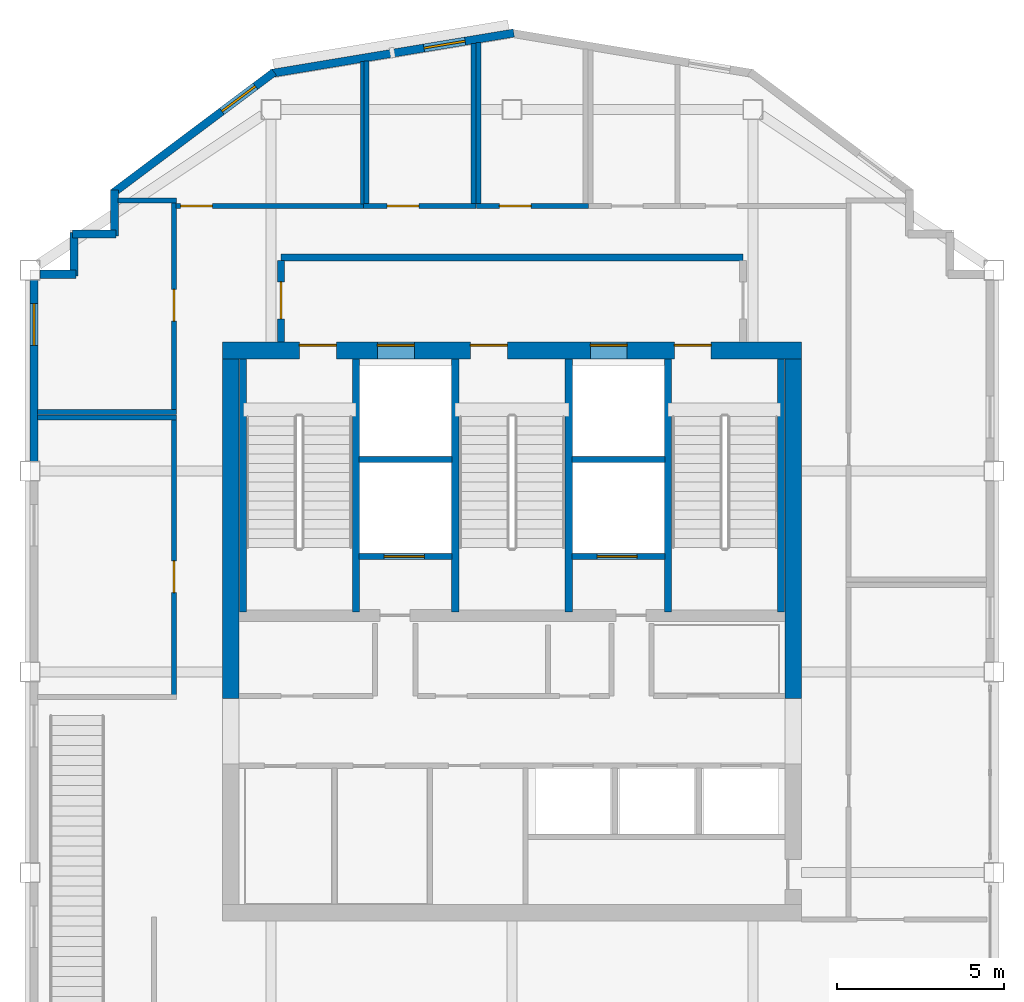
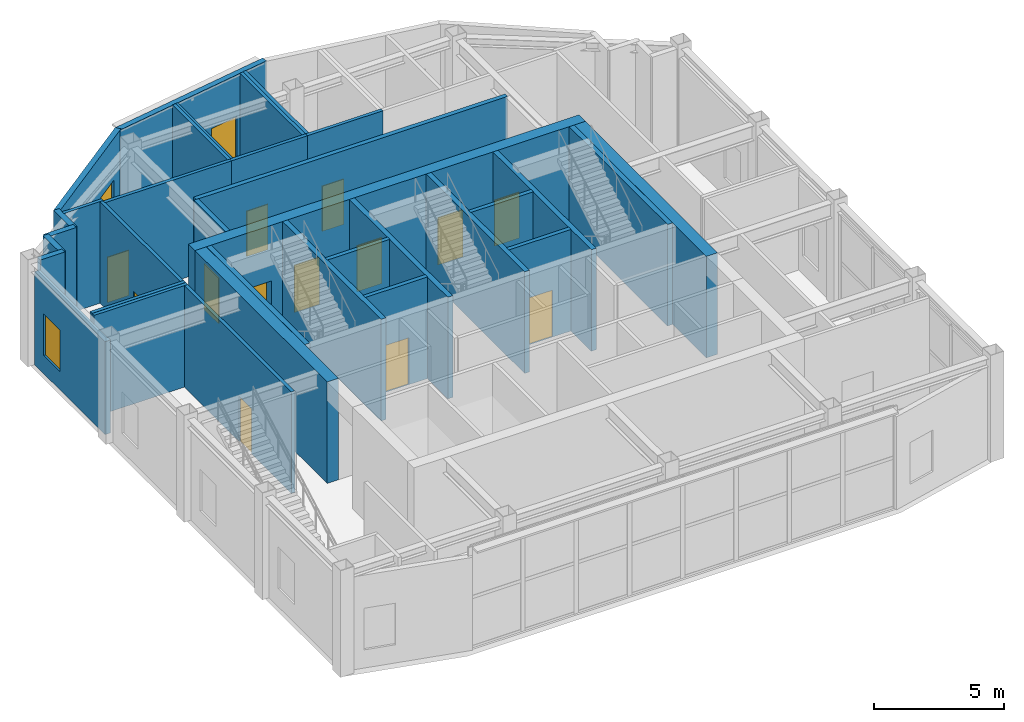
# One storey, part 8 of 11: 34 walls, 13 doors, 3 windows, 16 openings.
"""IFC4 building model written with IfcOpenShell, lengths in metres."""

from ifc_helpers import new_model, si_unit, direction, frame, frame_2d, origin, place, context, subcontext, project, spatial, rectangle, extrude, material, layer, layer_set, type_object, element, fill, save


model = new_model("IFC4")

# Units and contexts
model_context = context("Model", 3, precision=1e-05, world=origin(), true_north=direction((0.0, 1.0)))
body_context = subcontext(model_context, "Body", "Model", "MODEL_VIEW")
ifc_project = project(units=[si_unit("LENGTHUNIT", "METRE"), si_unit("AREAUNIT", "SQUARE_METRE"), si_unit("VOLUMEUNIT", "CUBIC_METRE"), si_unit("PLANEANGLEUNIT", "RADIAN"), si_unit("MASSUNIT", "GRAM", prefix="KILO")], contexts=[model_context])

# Site, building, storey
site_placement = place(None, origin())
site = spatial("IfcSite", under=ifc_project, at=site_placement, CompositionType="ELEMENT")
building_placement = place(site_placement, origin())
building = spatial("IfcBuilding", under=site, at=building_placement, Name="Haolan Belvedere Tower", CompositionType="ELEMENT")
storey_placement = place(building_placement, frame((0.0, 0.0, 318.199951171875)))
storey = spatial("IfcBuildingStorey", under=building, at=storey_placement, Name="L80", CompositionType="ELEMENT", Elevation=318.199951171875)

# Wall, openings, doors
ifc_material_1 = material(Name="Concrete C50/60", Category="concrete")
ifc_layer_1 = layer(ifc_material_1, 0.5, Name="Concrete C50/60")
ifc_layer_set_1 = layer_set([ifc_layer_1], Name="Concrete C50/60")
wall_type_1 = type_object("IfcWallType", Name="WL-CORE-500", PredefinedType="SHEAR", material=ifc_layer_set_1)
wall_1_placement = place(storey_placement, frame((29.75, 43.199951171875, 0.0), z_axis=(0.0, 0.0, 1.0), x_axis=(1.0, 0.0, 0.0)))
wall_1 = element("IfcWall", 1, at=wall_1_placement, inside=storey, type_object=wall_type_1, Name="L80 central core north shear wall", PredefinedType="SHEAR", context=body_context, shape_type="SweptSolid", body=[
    extrude(rectangle(XDim=17.300048828125, YDim=0.5, at=frame_2d((8.64990234375, 0.0))), origin(), (0.0, 0.0, 1.0), 4.760009765625),
])
opening_1_placement = place(wall_1_placement, frame((2.300048828125, 0.0, 0.0)))
opening_1 = element("IfcOpeningElement", 2, at=opening_1_placement, cuts=wall_1, Name="Opening FD-03", PredefinedType="OPENING", context=body_context, shape_type="SweptSolid", body=[
    extrude(rectangle(XDim=1.10009765625, YDim=2.14990234375, at=frame_2d((0.550048828125, 1.074951171875))), frame((0.0, 0.260009765625, 0.0), z_axis=(0.0, -1.0, 0.0), x_axis=(1.0, 0.0, 0.0)), (0.0, 0.0, 1.0), 0.52001953125),
])
opening_2_placement = place(wall_1_placement, frame((7.409912109375, 0.0, 0.0)))
opening_2 = element("IfcOpeningElement", 3, at=opening_2_placement, cuts=wall_1, Name="Opening FD-03", PredefinedType="OPENING", context=body_context, shape_type="SweptSolid", body=[
    extrude(rectangle(XDim=1.10009765625, YDim=2.14990234375, at=frame_2d((0.550048828125, 1.074951171875))), frame((0.0, 0.260009765625, 0.0), z_axis=(0.0, -1.0, 0.0), x_axis=(1.0, 0.0, 0.0)), (0.0, 0.0, 1.0), 0.52001953125),
])
opening_3_placement = place(wall_1_placement, frame((13.5, 0.0, 0.0)))
opening_3 = element("IfcOpeningElement", 4, at=opening_3_placement, cuts=wall_1, Name="Opening FD-03", PredefinedType="OPENING", context=body_context, shape_type="SweptSolid", body=[
    extrude(rectangle(XDim=1.10009765625, YDim=2.14990234375, at=frame_2d((0.550048828125, 1.074951171875))), frame((0.0, 0.260009765625, 0.0), z_axis=(0.0, -1.0, 0.0), x_axis=(1.0, 0.0, 0.0)), (0.0, 0.0, 1.0), 0.52001953125),
])
opening_4_placement = place(wall_1_placement, frame((4.6298828125, 0.0, 0.0)))
opening_4 = element("IfcOpeningElement", 5, at=opening_4_placement, cuts=wall_1, Name="Opening LD-01", PredefinedType="OPENING", context=body_context, shape_type="SweptSolid", body=[
    extrude(rectangle(XDim=1.10009765625, YDim=2.199951171875, at=frame_2d((0.550048828125, 1.10009765625))), frame((0.0, 0.260009765625, 0.0), z_axis=(0.0, -1.0, 0.0), x_axis=(1.0, 0.0, 0.0)), (0.0, 0.0, 1.0), 0.52001953125),
])
opening_5_placement = place(wall_1_placement, frame((10.989990234375, 0.0, 0.0)))
opening_5 = element("IfcOpeningElement", 6, at=opening_5_placement, cuts=wall_1, Name="Opening LD-01", PredefinedType="OPENING", context=body_context, shape_type="SweptSolid", body=[
    extrude(rectangle(XDim=1.10009765625, YDim=2.199951171875, at=frame_2d((0.550048828125, 1.10009765625))), frame((0.0, 0.260009765625, 0.0), z_axis=(0.0, -1.0, 0.0), x_axis=(1.0, 0.0, 0.0)), (0.0, 0.0, 1.0), 0.52001953125),
])
ifc_material_2 = material(Name="Galvanised fire-rated steel", Category="steel")
door_type_1 = type_object("IfcDoorType", Name="DR-FD90-1100", OperationType="NOTDEFINED", PredefinedType="DOOR", material=ifc_material_2)
door_1_placement = place(opening_1_placement, origin())
door_1 = element("IfcDoor", 7, at=door_1_placement, inside=storey, type_object=door_type_1, Name="L80 door CD-L80-ST1", OperationType="SINGLE_SWING_LEFT", OverallHeight=2.14990234375, OverallWidth=1.10009765625, PredefinedType="DOOR", context=body_context, shape_type="SweptSolid", body=[
    extrude(rectangle(XDim=1.10009765625, YDim=2.14990234375, at=frame_2d((0.550048828125, 1.074951171875))), frame((0.0, 0.18505859375, 0.0), z_axis=(0.0, -1.0, 0.0), x_axis=(1.0, 0.0, 0.0)), (0.0, 0.0, 1.0), 0.050048828125),
])
fill(opening_1, door_1)
door_2_placement = place(opening_2_placement, origin())
door_2 = element("IfcDoor", 8, at=door_2_placement, inside=storey, type_object=door_type_1, Name="L80 door CD-L80-ST3", OperationType="SINGLE_SWING_LEFT", OverallHeight=2.14990234375, OverallWidth=1.10009765625, PredefinedType="DOOR", context=body_context, shape_type="SweptSolid", body=[
    extrude(rectangle(XDim=1.10009765625, YDim=2.14990234375, at=frame_2d((0.550048828125, 1.074951171875))), frame((0.0, 0.18505859375, 0.0), z_axis=(0.0, -1.0, 0.0), x_axis=(1.0, 0.0, 0.0)), (0.0, 0.0, 1.0), 0.050048828125),
])
fill(opening_2, door_2)
door_3_placement = place(opening_3_placement, origin())
door_3 = element("IfcDoor", 9, at=door_3_placement, inside=storey, type_object=door_type_1, Name="L80 door CD-L80-ST2", OperationType="SINGLE_SWING_RIGHT", OverallHeight=2.14990234375, OverallWidth=1.10009765625, PredefinedType="DOOR", context=body_context, shape_type="SweptSolid", body=[
    extrude(rectangle(XDim=1.10009765625, YDim=2.14990234375, at=frame_2d((0.550048828125, 1.074951171875))), frame((0.0, 0.18505859375, 0.0), z_axis=(0.0, -1.0, 0.0), x_axis=(1.0, 0.0, 0.0)), (0.0, 0.0, 1.0), 0.050048828125),
])
fill(opening_3, door_3)
ifc_material_3 = material(Name="Brushed champagne stainless steel 316L", Category="steel")
door_type_2 = type_object("IfcDoorType", Name="DR-LIFT-1100", OperationType="SLIDING_TO_LEFT", PredefinedType="DOOR", material=ifc_material_3)
door_4_placement = place(opening_4_placement, origin())
door_4 = element("IfcDoor", 10, at=door_4_placement, inside=storey, type_object=door_type_2, Name="L80 door LD-L80-FF1", OperationType="SLIDING_TO_LEFT", OverallHeight=2.199951171875, OverallWidth=1.10009765625, PredefinedType="DOOR", context=body_context, shape_type="SweptSolid", body=[
    extrude(rectangle(XDim=1.10009765625, YDim=2.199951171875, at=frame_2d((0.550048828125, 1.10009765625))), frame((0.0, 0.18505859375, 0.0), z_axis=(0.0, -1.0, 0.0), x_axis=(1.0, 0.0, 0.0)), (0.0, 0.0, 1.0), 0.050048828125),
])
fill(opening_4, door_4)
door_5_placement = place(opening_5_placement, origin())
door_5 = element("IfcDoor", 11, at=door_5_placement, inside=storey, type_object=door_type_2, Name="L80 door LD-L80-FF2", OperationType="SLIDING_TO_LEFT", OverallHeight=2.199951171875, OverallWidth=1.10009765625, PredefinedType="DOOR", context=body_context, shape_type="SweptSolid", body=[
    extrude(rectangle(XDim=1.10009765625, YDim=2.199951171875, at=frame_2d((0.550048828125, 1.10009765625))), frame((0.0, 0.18505859375, 0.0), z_axis=(0.0, -1.0, 0.0), x_axis=(1.0, 0.0, 0.0)), (0.0, 0.0, 1.0), 0.050048828125),
])
fill(opening_5, door_5)

# Walls
for number, where, z_axis, x_axis, name in (
    (12, (30.0, 32.800048828125, 0.0), (0.0, 0.0, 1.0), (0.0, 1.0, 0.0), "L80 central core shear wall WN"),
    (13, (46.800048828125, 32.800048828125, 0.0), (0.0, 0.0, 1.0), (0.0, 1.0, 0.0), "L80 central core shear wall EN"),
):
    element("IfcWall", number, at=place(storey_placement, frame(where, z_axis=z_axis, x_axis=x_axis)), inside=storey, type_object=wall_type_1, Name=name, PredefinedType="SHEAR", context=body_context, shape_type="SweptSolid", body=[
        extrude(rectangle(XDim=10.14990234375, YDim=0.5, at=frame_2d((5.074951171875, 0.0))), origin(), (0.0, 0.0, 1.0), 4.760009765625),
    ])

# Wall, opening, window
ifc_material_4 = material(Name="Precast concrete C40/50", Category="concrete")
ifc_layer_2 = layer(ifc_material_4, 0.239990234375, Name="Precast concrete C40/50")
ifc_layer_set_2 = layer_set([ifc_layer_2], Name="Precast concrete C40/50")
wall_type_2 = type_object("IfcWallType", Name="WL-EXT-240", PredefinedType="SOLIDWALL", material=ifc_layer_set_2)
wall_2_placement = place(storey_placement, frame((38.454345703125, 52.687255859375, 0.0), z_axis=(0.0, 0.0, 1.0), x_axis=(-0.986394820321, -0.164393608283, 0.0)))
wall_2 = element("IfcWall", 14, at=wall_2_placement, inside=storey, type_object=wall_type_2, Name="L80 pale-metal exterior spandrel wall 10.1", PredefinedType="SOLIDWALL", context=body_context, shape_type="SweptSolid", body=[
    extrude(rectangle(XDim=7.360107421875, YDim=0.239990234375, at=frame_2d((3.68017578125, 0.0))), origin(), (0.0, 0.0, 1.0), 4.760009765625),
])
opening_6_placement = place(wall_2_placement, frame((1.473388671875, 0.0, 0.85009765625)))
opening_6 = element("IfcOpeningElement", 15, at=opening_6_placement, cuts=wall_2, Name="Opening W-04", PredefinedType="OPENING", context=body_context, shape_type="SweptSolid", body=[
    extrude(rectangle(XDim=1.25, YDim=1.949951171875, at=frame_2d((0.625, 0.97509765625))), frame((0.0, 0.1298828125, 0.0), z_axis=(0.0, -1.0, 0.0), x_axis=(1.0, 0.0, 0.0)), (0.0, 0.0, 1.0), 0.260009765625),
])
ifc_material_5 = material(Name="Anodised aluminium 6063-T6 and Low-E glass", Category="aluminium")
window_type = type_object("IfcWindowType", Name="WN-DECO-Z4", PartitioningType="SINGLE_PANEL", PredefinedType="WINDOW", material=ifc_material_5)
window_1_placement = place(opening_6_placement, origin())
window_1 = element("IfcWindow", 16, at=window_1_placement, inside=storey, type_object=window_type, Name="L80 Art Deco chevron window 1", OverallHeight=1.949951171875, OverallWidth=1.25, PartitioningType="SINGLE_PANEL", PredefinedType="WINDOW", context=body_context, shape_type="SweptSolid", body=[
    extrude(rectangle(XDim=1.25, YDim=1.949951171875, at=frame_2d((0.625, 0.97509765625))), frame((0.0, 0.030029296875, 0.0), z_axis=(0.0, -1.0, 0.0), x_axis=(1.0, 0.0, 0.0)), (0.0, 0.0, 1.0), 0.06005859375),
])
fill(opening_6, window_1)

wall_3_placement = place(storey_placement, frame((31.29248046875, 51.519287109375, 0.0), z_axis=(0.0, 0.0, 1.0), x_axis=(-0.8, -0.6, 0.0)))
wall_3 = element("IfcWall", 17, at=wall_3_placement, inside=storey, type_object=wall_type_2, Name="L80 pale-metal exterior spandrel wall 11.1", PredefinedType="SOLIDWALL", context=body_context, shape_type="SweptSolid", body=[
    extrude(rectangle(XDim=6.0205078125, YDim=0.239990234375, at=frame_2d((3.01025390625, 0.0))), origin(), (0.0, 0.0, 1.0), 4.760009765625),
])
opening_7_placement = place(wall_3_placement, frame((0.699951171875, 0.0, 0.85009765625)))
opening_7 = element("IfcOpeningElement", 18, at=opening_7_placement, cuts=wall_3, Name="Opening W-04", PredefinedType="OPENING", context=body_context, shape_type="SweptSolid", body=[
    extrude(rectangle(XDim=1.25, YDim=1.949951171875, at=frame_2d((0.625, 0.97509765625))), frame((0.0, 0.1298828125, 0.0), z_axis=(0.0, -1.0, 0.0), x_axis=(1.0, 0.0, 0.0)), (0.0, 0.0, 1.0), 0.260009765625),
])
window_2_placement = place(opening_7_placement, origin())
window_2 = element("IfcWindow", 19, at=window_2_placement, inside=storey, type_object=window_type, Name="L80 Art Deco chevron window 1", OverallHeight=1.949951171875, OverallWidth=1.25, PartitioningType="SINGLE_PANEL", PredefinedType="WINDOW", context=body_context, shape_type="SweptSolid", body=[
    extrude(rectangle(XDim=1.25, YDim=1.949951171875, at=frame_2d((0.625, 0.97509765625))), frame((0.0, 0.030029296875, 0.0), z_axis=(0.0, -1.0, 0.0), x_axis=(1.0, 0.0, 0.0)), (0.0, 0.0, 1.0), 0.06005859375),
])
fill(opening_7, window_2)

# Walls
wall_4_placement = place(storey_placement, frame((26.52001953125, 47.9951171875, 0.0), z_axis=(0.0, 0.0, 1.0), x_axis=(0.0, -1.0, 0.0)))
element("IfcWall", 20, at=wall_4_placement, inside=storey, type_object=wall_type_2, Name="L80 pale-metal exterior spandrel wall 12.1", PredefinedType="SOLIDWALL", context=body_context, shape_type="SweptSolid", body=[
    extrude(rectangle(XDim=1.3701171875, YDim=0.239990234375, at=frame_2d((0.68505859375, 0.0))), origin(), (0.0, 0.0, 1.0), 4.760009765625),
])
for number, where, z_axis, x_axis, name in (
    (21, (26.574951171875, 46.679931640625, 0.0), (0.0, 0.0, 1.0), (-1.0, 0.0, 0.0), "L80 pale-metal exterior spandrel wall 13.1"),
    (22, (25.320068359375, 46.735107421875, 0.0), (0.0, 0.0, 1.0), (0.0, -1.0, 0.0), "L80 pale-metal exterior spandrel wall 14.1"),
):
    element("IfcWall", number, at=place(storey_placement, frame(where, z_axis=z_axis, x_axis=x_axis)), inside=storey, type_object=wall_type_2, Name=name, PredefinedType="SOLIDWALL", context=body_context, shape_type="SweptSolid", body=[
        extrude(rectangle(XDim=1.31005859375, YDim=0.239990234375, at=frame_2d((0.655029296875, 0.0))), origin(), (0.0, 0.0, 1.0), 4.760009765625),
    ])
wall_5_placement = place(storey_placement, frame((25.375, 45.47998046875, 0.0), z_axis=(0.0, 0.0, 1.0), x_axis=(-1.0, 0.0, 0.0)))
element("IfcWall", 23, at=wall_5_placement, inside=storey, type_object=wall_type_2, Name="L80 pale-metal exterior spandrel wall 15.1", PredefinedType="SOLIDWALL", context=body_context, shape_type="SweptSolid", body=[
    extrude(rectangle(XDim=1.0830078125, YDim=0.239990234375, at=frame_2d((0.54150390625, 0.0))), origin(), (0.0, 0.0, 1.0), 4.760009765625),
])

# Wall, opening, window
wall_6_placement = place(storey_placement, frame((24.1201171875, 45.30810546875, 0.0), z_axis=(0.0, 0.0, 1.0), x_axis=(0.0, -1.0, 0.0)))
wall_6 = element("IfcWall", 24, at=wall_6_placement, inside=storey, type_object=wall_type_2, Name="L80 pale-metal exterior spandrel wall 16.1", PredefinedType="SOLIDWALL", context=body_context, shape_type="SweptSolid", body=[
    extrude(rectangle(XDim=5.416015625, YDim=0.239990234375, at=frame_2d((2.7080078125, 0.0))), origin(), (0.0, 0.0, 1.0), 4.35498046875),
])
opening_8_placement = place(wall_6_placement, frame((0.699951171875, 0.0, 0.85009765625)))
opening_8 = element("IfcOpeningElement", 25, at=opening_8_placement, cuts=wall_6, Name="Opening W-04", PredefinedType="OPENING", context=body_context, shape_type="SweptSolid", body=[
    extrude(rectangle(XDim=1.25, YDim=1.949951171875, at=frame_2d((0.625, 0.97509765625))), frame((0.0, 0.1298828125, 0.0), z_axis=(0.0, -1.0, 0.0), x_axis=(1.0, 0.0, 0.0)), (0.0, 0.0, 1.0), 0.260009765625),
])
window_3_placement = place(opening_8_placement, origin())
window_3 = element("IfcWindow", 26, at=window_3_placement, inside=storey, type_object=window_type, Name="L80 Art Deco chevron window 1", OverallHeight=1.949951171875, OverallWidth=1.25, PartitioningType="SINGLE_PANEL", PredefinedType="WINDOW", context=body_context, shape_type="SweptSolid", body=[
    extrude(rectangle(XDim=1.25, YDim=1.949951171875, at=frame_2d((0.625, 0.97509765625))), frame((0.0, 0.030029296875, 0.0), z_axis=(0.0, -1.0, 0.0), x_axis=(1.0, 0.0, 0.0)), (0.0, 0.0, 1.0), 0.06005859375),
])
fill(opening_8, window_3)

# Wall
ifc_material_6 = material(Name="Concrete C40/50", Category="concrete")
ifc_layer_3 = layer(ifc_material_6, 0.199951171875, Name="Concrete C40/50")
ifc_layer_set_3 = layer_set([ifc_layer_3], Name="Concrete C40/50")
wall_type_3 = type_object("IfcWallType", Name="WL-FIRE-200", PredefinedType="SOLIDWALL", material=ifc_layer_set_3)
wall_7_placement = place(storey_placement, frame((31.5, 45.97998046875, 0.0), z_axis=(0.0, 0.0, 1.0), x_axis=(1.0, 0.0, 0.0)))
element("IfcWall", 27, at=wall_7_placement, inside=storey, type_object=wall_type_3, Name="L80 interior partition IW-L80-FFL-N", PredefinedType="SOLIDWALL", context=body_context, shape_type="SweptSolid", body=[
    extrude(rectangle(XDim=13.800048828125, YDim=0.199951171875, at=frame_2d((6.89990234375, 0.0))), origin(), (0.0, 0.0, 1.0), 4.760009765625),
])

# Wall, opening, door
wall_8_placement = place(storey_placement, frame((31.5, 43.449951171875, 0.0), z_axis=(0.0, 0.0, 1.0), x_axis=(0.0, 1.0, 0.0)))
wall_8 = element("IfcWall", 28, at=wall_8_placement, inside=storey, type_object=wall_type_3, Name="L80 interior partition IW-L80-FFL-W", PredefinedType="SOLIDWALL", context=body_context, shape_type="SweptSolid", body=[
    extrude(rectangle(XDim=2.445068359375, YDim=0.199951171875, at=frame_2d((1.22265625, 0.0))), origin(), (0.0, 0.0, 1.0), 4.760009765625),
])
opening_9_placement = place(wall_8_placement, frame((1.800048828125, 0.0, 0.0), z_axis=(0.0, 0.0, 1.0), x_axis=(-1.0, 0.0, 0.0)))
opening_9 = element("IfcOpeningElement", 29, at=opening_9_placement, cuts=wall_8, Name="Opening FD-03", PredefinedType="OPENING", context=body_context, shape_type="SweptSolid", body=[
    extrude(rectangle(XDim=1.10009765625, YDim=2.14990234375, at=frame_2d((0.550048828125, 1.074951171875))), frame((0.0, 0.10986328125, 0.0), z_axis=(0.0, -1.0, 0.0), x_axis=(1.0, 0.0, 0.0)), (0.0, 0.0, 1.0), 0.219970703125),
])
door_6_placement = place(opening_9_placement, origin())
door_6 = element("IfcDoor", 30, at=door_6_placement, inside=storey, type_object=door_type_1, Name="L80 door ID-L80-FFL-DW", OperationType="SINGLE_SWING_LEFT", OverallHeight=2.14990234375, OverallWidth=1.10009765625, PredefinedType="DOOR", context=body_context, shape_type="SweptSolid", body=[
    extrude(rectangle(XDim=1.10009765625, YDim=2.14990234375, at=frame_2d((0.550048828125, 1.074951171875))), frame((0.0, 0.02490234375, 0.0), z_axis=(0.0, -1.0, 0.0), x_axis=(1.0, 0.0, 0.0)), (0.0, 0.0, 1.0), 0.050048828125),
])
fill(opening_9, door_6)

ifc_material_7 = material(Name="Double gypsum acoustic stud partition", Category="masonry")
ifc_layer_4 = layer(ifc_material_7, 0.14990234375, Name="Double gypsum acoustic stud partition")
ifc_layer_set_4 = layer_set([ifc_layer_4], Name="Double gypsum acoustic stud partition")
wall_type_4 = type_object("IfcWallType", Name="WL-PART-150", PredefinedType="PARTITIONING", material=ifc_layer_set_4)
wall_9_placement = place(storey_placement, frame((33.969970703125, 47.52001953125, 0.0), z_axis=(0.0, 0.0, 1.0), x_axis=(1.0, 0.0, 0.0)))
wall_9 = element("IfcWall", 31, at=wall_9_placement, inside=storey, type_object=wall_type_4, Name="L80 interior partition IW-L80-WCM-S", PredefinedType="PARTITIONING", context=body_context, shape_type="SweptSolid", body=[
    extrude(rectangle(XDim=3.360107421875, YDim=0.14990234375, at=frame_2d((1.68017578125, 0.0))), origin(), (0.0, 0.0, 1.0), 4.760009765625),
])
opening_10_placement = place(wall_9_placement, frame((0.699951171875, 0.0, 0.0)))
opening_10 = element("IfcOpeningElement", 32, at=opening_10_placement, cuts=wall_9, Name="Opening ID-03", PredefinedType="OPENING", context=body_context, shape_type="SweptSolid", body=[
    extrude(rectangle(XDim=0.949951171875, YDim=2.1201171875, at=frame_2d((0.47509765625, 1.06005859375))), frame((0.0, 0.0849609375, 0.0), z_axis=(0.0, -1.0, 0.0), x_axis=(1.0, 0.0, 0.0)), (0.0, 0.0, 1.0), 0.169921875),
])
ifc_material_8 = material(Name="Painted solid-core timber", Category="wood")
door_type_3 = type_object("IfcDoorType", Name="DR-INT-950", OperationType="NOTDEFINED", PredefinedType="DOOR", material=ifc_material_8)
door_7_placement = place(opening_10_placement, origin())
door_7 = element("IfcDoor", 33, at=door_7_placement, inside=storey, type_object=door_type_3, Name="L80 door ID-L80-WCM", OperationType="SINGLE_SWING_LEFT", OverallHeight=2.1201171875, OverallWidth=0.949951171875, PredefinedType="DOOR", context=body_context, shape_type="SweptSolid", body=[
    extrude(rectangle(XDim=0.949951171875, YDim=2.1201171875, at=frame_2d((0.47509765625, 1.06005859375))), frame((0.0, 0.02490234375, 0.0), z_axis=(0.0, -1.0, 0.0), x_axis=(1.0, 0.0, 0.0)), (0.0, 0.0, 1.0), 0.050048828125),
])
fill(opening_10, door_7)

# Walls
wall_10_placement = place(storey_placement, frame((34.050048828125, 47.580078125, 0.0), z_axis=(0.0, 0.0, 1.0), x_axis=(0.0, 1.0, 0.0)))
element("IfcWall", 34, at=wall_10_placement, inside=storey, type_object=wall_type_4, Name="L80 interior partition IW-L80-WCM-W", PredefinedType="PARTITIONING", context=body_context, shape_type="SweptSolid", body=[
    extrude(rectangle(XDim=4.266845703125, YDim=0.14990234375, at=frame_2d((2.13330078125, 0.0))), origin(), (0.0, 0.0, 1.0), 4.760009765625),
])
wall_11_placement = place(storey_placement, frame((37.25, 47.580078125, 0.0), z_axis=(0.0, 0.0, 1.0), x_axis=(0.0, 1.0, 0.0)))
element("IfcWall", 35, at=wall_11_placement, inside=storey, type_object=wall_type_4, Name="L80 interior partition IW-L80-WCM-E", PredefinedType="PARTITIONING", context=body_context, shape_type="SweptSolid", body=[
    extrude(rectangle(XDim=4.800048828125, YDim=0.14990234375, at=frame_2d((2.39990234375, 0.0))), origin(), (0.0, 0.0, 1.0), 4.760009765625),
])

# Wall, opening, door
wall_12_placement = place(storey_placement, frame((37.33203125, 47.52001953125, 0.0), z_axis=(0.0, 0.0, 1.0), x_axis=(1.0, 0.0, 0.0)))
wall_12 = element("IfcWall", 36, at=wall_12_placement, inside=storey, type_object=wall_type_4, Name="L80 interior partition IW-L80-WCF-S", PredefinedType="PARTITIONING", context=body_context, shape_type="SweptSolid", body=[
    extrude(rectangle(XDim=3.347900390625, YDim=0.14990234375, at=frame_2d((1.673828125, 0.0))), origin(), (0.0, 0.0, 1.0), 4.760009765625),
])
opening_11_placement = place(wall_12_placement, frame((0.68798828125, 0.0, 0.0)))
opening_11 = element("IfcOpeningElement", 37, at=opening_11_placement, cuts=wall_12, Name="Opening ID-03", PredefinedType="OPENING", context=body_context, shape_type="SweptSolid", body=[
    extrude(rectangle(XDim=0.949951171875, YDim=2.1201171875, at=frame_2d((0.47509765625, 1.06005859375))), frame((0.0, 0.0849609375, 0.0), z_axis=(0.0, -1.0, 0.0), x_axis=(1.0, 0.0, 0.0)), (0.0, 0.0, 1.0), 0.169921875),
])
door_8_placement = place(opening_11_placement, origin())
door_8 = element("IfcDoor", 38, at=door_8_placement, inside=storey, type_object=door_type_3, Name="L80 door ID-L80-WCF", OperationType="SINGLE_SWING_RIGHT", OverallHeight=2.1201171875, OverallWidth=0.949951171875, PredefinedType="DOOR", context=body_context, shape_type="SweptSolid", body=[
    extrude(rectangle(XDim=0.949951171875, YDim=2.1201171875, at=frame_2d((0.47509765625, 1.06005859375))), frame((0.0, 0.02490234375, 0.0), z_axis=(0.0, -1.0, 0.0), x_axis=(1.0, 0.0, 0.0)), (0.0, 0.0, 1.0), 0.050048828125),
])
fill(opening_11, door_8)

# Walls
wall_13_placement = place(storey_placement, frame((37.39990234375, 47.580078125, 0.0), z_axis=(0.0, 0.0, 1.0), x_axis=(0.0, 1.0, 0.0)))
element("IfcWall", 39, at=wall_13_placement, inside=storey, type_object=wall_type_4, Name="L80 interior partition IW-L80-WCF-W", PredefinedType="PARTITIONING", context=body_context, shape_type="SweptSolid", body=[
    extrude(rectangle(XDim=4.824951171875, YDim=0.14990234375, at=frame_2d((2.41259765625, 0.0))), origin(), (0.0, 0.0, 1.0), 4.760009765625),
])
wall_14_placement = place(storey_placement, frame((24.22509765625, 41.199951171875, 0.0), z_axis=(0.0, 0.0, 1.0), x_axis=(1.0, 0.0, 0.0)))
element("IfcWall", 40, at=wall_14_placement, inside=storey, type_object=wall_type_4, Name="L80 interior partition IW-L80-EXHB-N", PredefinedType="PARTITIONING", context=body_context, shape_type="SweptSolid", body=[
    extrude(rectangle(XDim=4.15478515625, YDim=0.14990234375, at=frame_2d((2.077392578125, 0.0))), origin(), (0.0, 0.0, 1.0), 4.760009765625),
])

# Wall, opening, door
wall_15_placement = place(storey_placement, frame((28.300048828125, 32.909912109375, 0.0), z_axis=(0.0, 0.0, 1.0), x_axis=(0.0, 1.0, 0.0)))
wall_15 = element("IfcWall", 41, at=wall_15_placement, inside=storey, type_object=wall_type_4, Name="L80 interior partition IW-L80-EXHB-E", PredefinedType="PARTITIONING", context=body_context, shape_type="SweptSolid", body=[
    extrude(rectangle(XDim=8.22998046875, YDim=0.14990234375, at=frame_2d((4.114990234375, 0.0))), origin(), (0.0, 0.0, 1.0), 4.760009765625),
])
opening_12_placement = place(wall_15_placement, frame((4.010009765625, 0.0, 0.0), z_axis=(0.0, 0.0, 1.0), x_axis=(-1.0, 0.0, 0.0)))
opening_12 = element("IfcOpeningElement", 42, at=opening_12_placement, cuts=wall_15, Name="Opening ID-03", PredefinedType="OPENING", context=body_context, shape_type="SweptSolid", body=[
    extrude(rectangle(XDim=0.949951171875, YDim=2.1201171875, at=frame_2d((0.47509765625, 1.06005859375))), frame((0.0, 0.0849609375, 0.0), z_axis=(0.0, -1.0, 0.0), x_axis=(1.0, 0.0, 0.0)), (0.0, 0.0, 1.0), 0.169921875),
])
door_9_placement = place(opening_12_placement, origin())
door_9 = element("IfcDoor", 43, at=door_9_placement, inside=storey, type_object=door_type_3, Name="L80 door ID-L80-EXHB", OperationType="SINGLE_SWING_RIGHT", OverallHeight=2.1201171875, OverallWidth=0.949951171875, PredefinedType="DOOR", context=body_context, shape_type="SweptSolid", body=[
    extrude(rectangle(XDim=0.949951171875, YDim=2.1201171875, at=frame_2d((0.47509765625, 1.06005859375))), frame((0.0, 0.02490234375, 0.0), z_axis=(0.0, -1.0, 0.0), x_axis=(1.0, 0.0, 0.0)), (0.0, 0.0, 1.0), 0.050048828125),
])
fill(opening_12, door_9)

# Walls
wall_16_placement = place(storey_placement, frame((26.625, 47.679931640625, 0.0), z_axis=(0.0, 0.0, 1.0), x_axis=(1.0, 0.0, 0.0)))
element("IfcWall", 44, at=wall_16_placement, inside=storey, type_object=wall_type_4, Name="L80 interior partition IW-L80-TKT-N", PredefinedType="PARTITIONING", context=body_context, shape_type="SweptSolid", body=[
    extrude(rectangle(XDim=1.7548828125, YDim=0.14990234375, at=frame_2d((0.87744140625, 0.0))), origin(), (0.0, 0.0, 1.0), 4.760009765625),
])
wall_17_placement = place(storey_placement, frame((24.22509765625, 41.360107421875, 0.0), z_axis=(0.0, 0.0, 1.0), x_axis=(1.0, 0.0, 0.0)))
element("IfcWall", 45, at=wall_17_placement, inside=storey, type_object=wall_type_4, Name="L80 interior partition IW-L80-TKT-S", PredefinedType="PARTITIONING", context=body_context, shape_type="SweptSolid", body=[
    extrude(rectangle(XDim=4.15478515625, YDim=0.14990234375, at=frame_2d((2.077392578125, 0.0))), origin(), (0.0, 0.0, 1.0), 4.760009765625),
])

# Wall, opening, door
wall_18_placement = place(storey_placement, frame((28.300048828125, 41.419921875, 0.0), z_axis=(0.0, 0.0, 1.0), x_axis=(0.0, 1.0, 0.0)))
wall_18 = element("IfcWall", 46, at=wall_18_placement, inside=storey, type_object=wall_type_4, Name="L80 interior partition IW-L80-TKT-E", PredefinedType="PARTITIONING", context=body_context, shape_type="SweptSolid", body=[
    extrude(rectangle(XDim=6.2001953125, YDim=0.14990234375, at=frame_2d((3.10009765625, 0.0))), origin(), (0.0, 0.0, 1.0), 4.760009765625),
])
opening_13_placement = place(wall_18_placement, frame((3.60986328125, 0.0, 0.0), z_axis=(0.0, 0.0, 1.0), x_axis=(-1.0, 0.0, 0.0)))
opening_13 = element("IfcOpeningElement", 47, at=opening_13_placement, cuts=wall_18, Name="Opening ID-03", PredefinedType="OPENING", context=body_context, shape_type="SweptSolid", body=[
    extrude(rectangle(XDim=0.949951171875, YDim=2.1201171875, at=frame_2d((0.47509765625, 1.06005859375))), frame((0.0, 0.0849609375, 0.0), z_axis=(0.0, -1.0, 0.0), x_axis=(1.0, 0.0, 0.0)), (0.0, 0.0, 1.0), 0.169921875),
])
door_10_placement = place(opening_13_placement, origin())
door_10 = element("IfcDoor", 48, at=door_10_placement, inside=storey, type_object=door_type_3, Name="L80 door ID-L80-TKT", OperationType="SINGLE_SWING_LEFT", OverallHeight=2.1201171875, OverallWidth=0.949951171875, PredefinedType="DOOR", context=body_context, shape_type="SweptSolid", body=[
    extrude(rectangle(XDim=0.949951171875, YDim=2.1201171875, at=frame_2d((0.47509765625, 1.06005859375))), frame((0.0, 0.02490234375, 0.0), z_axis=(0.0, -1.0, 0.0), x_axis=(1.0, 0.0, 0.0)), (0.0, 0.0, 1.0), 0.050048828125),
])
fill(opening_13, door_10)

wall_19_placement = place(storey_placement, frame((28.360107421875, 47.52001953125, 0.0), z_axis=(0.0, 0.0, 1.0), x_axis=(1.0, 0.0, 0.0)))
wall_19 = element("IfcWall", 49, at=wall_19_placement, inside=storey, type_object=wall_type_4, Name="L80 interior partition IW-L80-NWLNG-S", PredefinedType="PARTITIONING", context=body_context, shape_type="SweptSolid", body=[
    extrude(rectangle(XDim=5.60791015625, YDim=0.14990234375, at=frame_2d((2.803955078125, 0.0))), origin(), (0.0, 0.0, 1.0), 4.760009765625),
])
opening_14_placement = place(wall_19_placement, frame((0.139892578125, 0.0, 0.0)))
opening_14 = element("IfcOpeningElement", 50, at=opening_14_placement, cuts=wall_19, Name="Opening ID-03", PredefinedType="OPENING", context=body_context, shape_type="SweptSolid", body=[
    extrude(rectangle(XDim=0.949951171875, YDim=2.1201171875, at=frame_2d((0.47509765625, 1.06005859375))), frame((0.0, 0.0849609375, 0.0), z_axis=(0.0, -1.0, 0.0), x_axis=(1.0, 0.0, 0.0)), (0.0, 0.0, 1.0), 0.169921875),
])
door_11_placement = place(opening_14_placement, origin())
door_11 = element("IfcDoor", 51, at=door_11_placement, inside=storey, type_object=door_type_3, Name="L80 door ID-L80-NWLNG", OperationType="SINGLE_SWING_LEFT", OverallHeight=2.1201171875, OverallWidth=0.949951171875, PredefinedType="DOOR", context=body_context, shape_type="SweptSolid", body=[
    extrude(rectangle(XDim=0.949951171875, YDim=2.1201171875, at=frame_2d((0.47509765625, 1.06005859375))), frame((0.0, 0.02490234375, 0.0), z_axis=(0.0, -1.0, 0.0), x_axis=(1.0, 0.0, 0.0)), (0.0, 0.0, 1.0), 0.050048828125),
])
fill(opening_14, door_11)

# Walls
wall_20_placement = place(storey_placement, frame((33.949951171875, 47.580078125, 0.0), z_axis=(0.0, 0.0, 1.0), x_axis=(0.0, 1.0, 0.0)))
element("IfcWall", 52, at=wall_20_placement, inside=storey, type_object=wall_type_4, Name="L80 interior partition IW-L80-NWLNG-E", PredefinedType="PARTITIONING", context=body_context, shape_type="SweptSolid", body=[
    extrude(rectangle(XDim=4.25, YDim=0.14990234375, at=frame_2d((2.125, 0.0))), origin(), (0.0, 0.0, 1.0), 4.760009765625),
])
ifc_layer_5 = layer(ifc_material_4, 0.179931640625, Name="Precast concrete C40/50")
ifc_layer_set_5 = layer_set([ifc_layer_5], Name="Precast concrete C40/50")
wall_type_5 = type_object("IfcWallType", Name="WL-SHAFT-180", PredefinedType="SOLIDWALL", material=ifc_layer_set_5)
for number, where, z_axis, x_axis, name in (
    (53, (33.8349609375, 39.949951171875, 0.0), (0.0, 0.0, 1.0), (1.0, 0.0, 0.0), "L80 interior partition IW-L80-FF1-S"),
    (54, (40.195068359375, 39.949951171875, 0.0), (0.0, 0.0, 1.0), (1.0, 0.0, 0.0), "L80 interior partition IW-L80-FF2-S"),
):
    element("IfcWall", number, at=place(storey_placement, frame(where, z_axis=z_axis, x_axis=x_axis)), inside=storey, type_object=wall_type_5, Name=name, PredefinedType="SOLIDWALL", context=body_context, shape_type="SweptSolid", body=[
        extrude(rectangle(XDim=2.77001953125, YDim=0.179931640625, at=frame_2d((1.385009765625, 0.0))), origin(), (0.0, 0.0, 1.0), 4.760009765625),
    ])

# Wall, opening, door
wall_21_placement = place(storey_placement, frame((33.8349609375, 37.050048828125, 0.0), z_axis=(0.0, 0.0, 1.0), x_axis=(1.0, 0.0, 0.0)))
wall_21 = element("IfcWall", 55, at=wall_21_placement, inside=storey, type_object=wall_type_5, Name="L80 interior partition IW-L80-SV1-S", PredefinedType="SOLIDWALL", context=body_context, shape_type="SweptSolid", body=[
    extrude(rectangle(XDim=2.77001953125, YDim=0.179931640625, at=frame_2d((1.385009765625, 0.0))), origin(), (0.0, 0.0, 1.0), 4.760009765625),
])
opening_15_placement = place(wall_21_placement, frame((1.945068359375, 0.0, 0.0), z_axis=(0.0, 0.0, 1.0), x_axis=(-1.0, 0.0, 0.0)))
opening_15 = element("IfcOpeningElement", 56, at=opening_15_placement, cuts=wall_21, Name="Opening LD-02", PredefinedType="OPENING", context=body_context, shape_type="SweptSolid", body=[
    extrude(rectangle(XDim=1.199951171875, YDim=2.199951171875, at=frame_2d((0.60009765625, 1.10009765625))), frame((0.0, 0.099853515625, 0.0), z_axis=(0.0, -1.0, 0.0), x_axis=(1.0, 0.0, 0.0)), (0.0, 0.0, 1.0), 0.199951171875),
])
door_type_4 = type_object("IfcDoorType", Name="DR-LIFT-1200", OperationType="SLIDING_TO_RIGHT", PredefinedType="DOOR", material=ifc_material_3)
door_12_placement = place(opening_15_placement, origin())
door_12 = element("IfcDoor", 57, at=door_12_placement, inside=storey, type_object=door_type_4, Name="L80 door ID-L80-LD-SV1", OperationType="SLIDING_TO_RIGHT", OverallHeight=2.199951171875, OverallWidth=1.199951171875, PredefinedType="DOOR", context=body_context, shape_type="SweptSolid", body=[
    extrude(rectangle(XDim=1.199951171875, YDim=2.199951171875, at=frame_2d((0.60009765625, 1.10009765625))), frame((0.0, 0.02490234375, 0.0), z_axis=(0.0, -1.0, 0.0), x_axis=(1.0, 0.0, 0.0)), (0.0, 0.0, 1.0), 0.050048828125),
])
fill(opening_15, door_12)

wall_22_placement = place(storey_placement, frame((40.195068359375, 37.050048828125, 0.0), z_axis=(0.0, 0.0, 1.0), x_axis=(1.0, 0.0, 0.0)))
wall_22 = element("IfcWall", 58, at=wall_22_placement, inside=storey, type_object=wall_type_5, Name="L80 interior partition IW-L80-SV2-S", PredefinedType="SOLIDWALL", context=body_context, shape_type="SweptSolid", body=[
    extrude(rectangle(XDim=2.77001953125, YDim=0.179931640625, at=frame_2d((1.385009765625, 0.0))), origin(), (0.0, 0.0, 1.0), 4.760009765625),
])
opening_16_placement = place(wall_22_placement, frame((1.945068359375, 0.0, 0.0), z_axis=(0.0, 0.0, 1.0), x_axis=(-1.0, 0.0, 0.0)))
opening_16 = element("IfcOpeningElement", 59, at=opening_16_placement, cuts=wall_22, Name="Opening LD-02", PredefinedType="OPENING", context=body_context, shape_type="SweptSolid", body=[
    extrude(rectangle(XDim=1.199951171875, YDim=2.199951171875, at=frame_2d((0.60009765625, 1.10009765625))), frame((0.0, 0.099853515625, 0.0), z_axis=(0.0, -1.0, 0.0), x_axis=(1.0, 0.0, 0.0)), (0.0, 0.0, 1.0), 0.199951171875),
])
door_13_placement = place(opening_16_placement, origin())
door_13 = element("IfcDoor", 60, at=door_13_placement, inside=storey, type_object=door_type_4, Name="L80 door ID-L80-LD-SV2", OperationType="SLIDING_TO_RIGHT", OverallHeight=2.199951171875, OverallWidth=1.199951171875, PredefinedType="DOOR", context=body_context, shape_type="SweptSolid", body=[
    extrude(rectangle(XDim=1.199951171875, YDim=2.199951171875, at=frame_2d((0.60009765625, 1.10009765625))), frame((0.0, 0.02490234375, 0.0), z_axis=(0.0, -1.0, 0.0), x_axis=(1.0, 0.0, 0.0)), (0.0, 0.0, 1.0), 0.050048828125),
])
fill(opening_16, door_13)

# Walls
ifc_layer_6 = layer(ifc_material_1, 0.219970703125, Name="Concrete C50/60")
ifc_layer_set_6 = layer_set([ifc_layer_6], Name="Concrete C50/60")
wall_type_6 = type_object("IfcWallType", Name="WL-STAIR-220", PredefinedType="SHEAR", material=ifc_layer_set_6)
for number, where, z_axis, x_axis, name in (
    (61, (30.362060546875, 35.389892578125, 0.0), (0.0, 0.0, 1.0), (0.0, 1.0, 0.0), "L80 structural stair core wall ST1W"),
    (62, (33.739990234375, 35.389892578125, 0.0), (0.0, 0.0, 1.0), (0.0, 1.0, 0.0), "L80 structural stair core wall ST1E"),
    (63, (36.699951171875, 35.389892578125, 0.0), (0.0, 0.0, 1.0), (0.0, 1.0, 0.0), "L80 structural stair core wall ST3W"),
    (64, (40.10009765625, 35.389892578125, 0.0), (0.0, 0.0, 1.0), (0.0, 1.0, 0.0), "L80 structural stair core wall ST3E"),
    (65, (43.06005859375, 35.389892578125, 0.0), (0.0, 0.0, 1.0), (0.0, 1.0, 0.0), "L80 structural stair core wall ST2W"),
    (66, (46.43798828125, 35.389892578125, 0.0), (0.0, 0.0, 1.0), (0.0, 1.0, 0.0), "L80 structural stair core wall ST2E"),
):
    element("IfcWall", number, at=place(storey_placement, frame(where, z_axis=z_axis, x_axis=x_axis)), inside=storey, type_object=wall_type_6, Name=name, PredefinedType="SHEAR", context=body_context, shape_type="SweptSolid", body=[
        extrude(rectangle(XDim=7.56005859375, YDim=0.219970703125, at=frame_2d((3.780029296875, 0.0))), origin(), (0.0, 0.0, 1.0), 4.760009765625),
    ])

save(model, "model.ifc")
